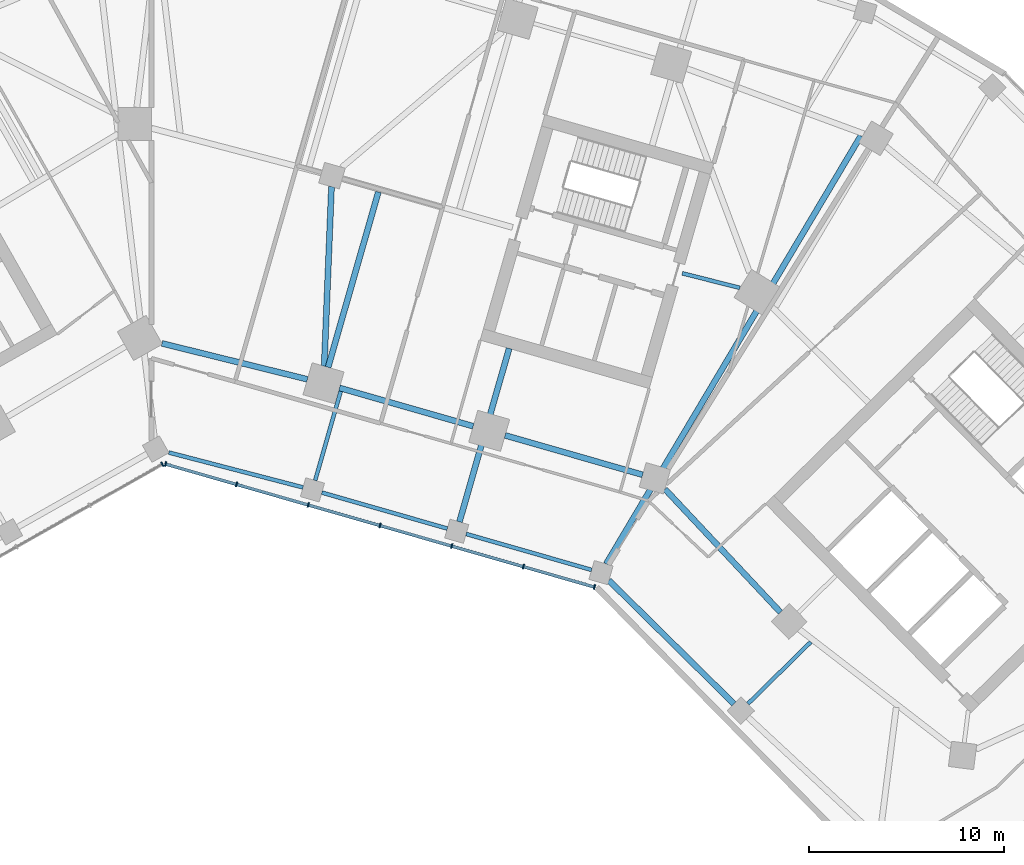
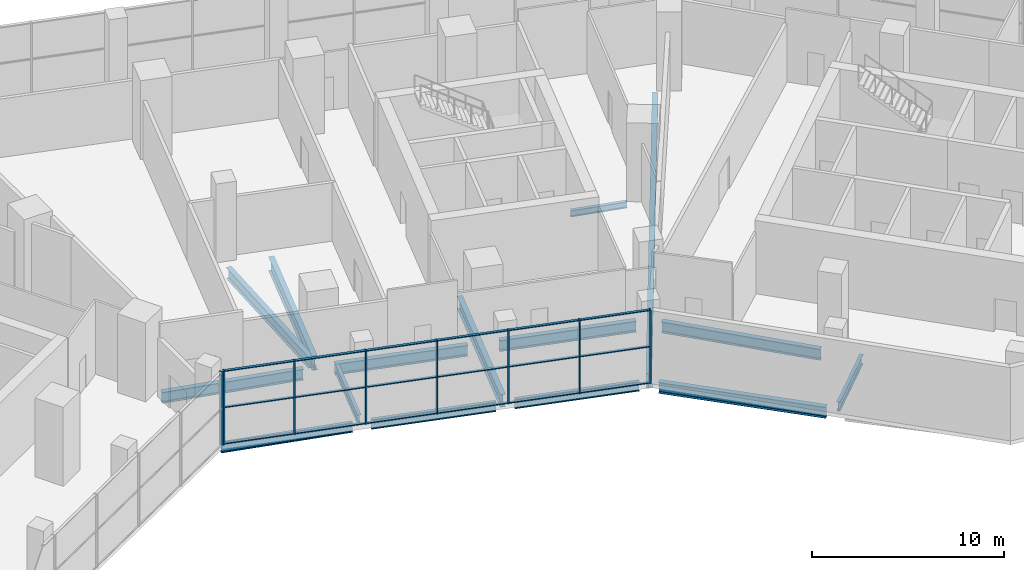
# One storey, part 5 of 18: 26 members, 15 beams, 2 elements without a shape of their own.
"""IFC4 building model written with IfcOpenShell, lengths in metres."""

from ifc_helpers import new_model, si_unit, direction, frame, origin, origin_2d, place, context, subcontext, project, spatial, rectangle, i_section, extrude, material, material_profile, profile_set, type_object, element, aggregate, save


model = new_model("IFC4")

# Units and contexts
model_context = context("Model", 3, precision=1e-05, world=origin(), true_north=direction((0.0, 1.0)))
body_context = subcontext(model_context, "Body", "Model", "MODEL_VIEW")
ifc_project = project(units=[si_unit("LENGTHUNIT", "METRE"), si_unit("AREAUNIT", "SQUARE_METRE"), si_unit("VOLUMEUNIT", "CUBIC_METRE"), si_unit("PLANEANGLEUNIT", "RADIAN"), si_unit("MASSUNIT", "GRAM", prefix="KILO")], contexts=[model_context])

# Site, building, storey
site_placement = place(None, origin())
site = spatial("IfcSite", under=ifc_project, at=site_placement, CompositionType="ELEMENT")
building_placement = place(site_placement, origin())
building = spatial("IfcBuilding", under=site, at=building_placement, Name="Binnacle Exchange Tower", CompositionType="ELEMENT")
storey_placement = place(building_placement, frame((0.0, 0.0, 11.5)))
storey = spatial("IfcBuildingStorey", under=building, at=storey_placement, Name="L02", CompositionType="ELEMENT", Elevation=11.5)

# Curtain wall, member
ifc_material_1 = material(Name="Bronze anodised aluminium frame", Category="aluminium")
curtain_wall_type = type_object("IfcCurtainWallType", Name="External wall - curtain wall podium harbour front", PredefinedType="NOTDEFINED", material=ifc_material_1)
curtain_wall_1_placement = place(storey_placement, origin())
curtain_wall_1 = element("IfcCurtainWall", 1, at=curtain_wall_1_placement, inside=storey, type_object=curtain_wall_type, Name="External wall curtain wall CW3-P06 L02", PredefinedType="NOTDEFINED")
ifc_material_profile_1 = material_profile(ifc_material_1, rectangle(XDim=0.25, YDim=0.070068359375, at=origin_2d()), Name="AL 70x250")
ifc_profile_set_1 = profile_set([ifc_material_profile_1], Name="Bronze anodised aluminium frame")
member_type_1 = type_object("IfcMemberType", Name="CW3 MULLION 70x250", PredefinedType="MULLION", material=ifc_profile_set_1)
member_1_placement = place(storey_placement, frame((0.561279296875, 42.57275390625, 0.0), z_axis=(0.0, 0.0, 1.0), x_axis=(-0.492423763004, 0.870355581144, 0.0)))
member_1 = element("IfcMember", 2, at=member_1_placement, type_object=member_type_1, Name="CW3-P06 mullion 11", PredefinedType="MULLION", context=body_context, shape_type="SweptSolid", body=[
    extrude(rectangle(XDim=0.25, YDim=0.070068359375, at=origin_2d()), origin(), (0.0, 0.0, 1.0), 4.64990234375),
])
aggregate(curtain_wall_1, [member_1])

# Curtain wall, members
curtain_wall_2_placement = place(storey_placement, origin())
curtain_wall_2 = element("IfcCurtainWall", 3, at=curtain_wall_2_placement, inside=storey, type_object=curtain_wall_type, Name="External wall curtain wall CW3-P07 L02", PredefinedType="NOTDEFINED")
member_2_placement = place(storey_placement, frame((0.721435546875, 42.591796875, 0.0), z_axis=(0.0, 0.0, 1.0), x_axis=(0.275636946454, 0.961261813321, 0.0)))
member_2 = element("IfcMember", 4, at=member_2_placement, type_object=member_type_1, Name="CW3-P07 mullion 1", PredefinedType="MULLION", context=body_context, shape_type="SweptSolid", body=[
    extrude(rectangle(XDim=0.25, YDim=0.070068359375, at=origin_2d()), origin(), (0.0, 0.0, 1.0), 4.64990234375),
])
member_3_placement = place(storey_placement, frame((4.3583984375, 41.548828125, 0.0), z_axis=(0.0, 0.0, 1.0), x_axis=(0.275636946454, 0.961261813321, 0.0)))
member_3 = element("IfcMember", 5, at=member_3_placement, type_object=member_type_1, Name="CW3-P07 mullion 2", PredefinedType="MULLION", context=body_context, shape_type="SweptSolid", body=[
    extrude(rectangle(XDim=0.25, YDim=0.070068359375, at=origin_2d()), origin(), (0.0, 0.0, 1.0), 4.64990234375),
])
member_4_placement = place(storey_placement, frame((8.029052734375, 40.496337890625, 0.0), z_axis=(0.0, 0.0, 1.0), x_axis=(0.275636946454, 0.961261813321, 0.0)))
member_4 = element("IfcMember", 6, at=member_4_placement, type_object=member_type_1, Name="CW3-P07 mullion 3", PredefinedType="MULLION", context=body_context, shape_type="SweptSolid", body=[
    extrude(rectangle(XDim=0.25, YDim=0.070068359375, at=origin_2d()), origin(), (0.0, 0.0, 1.0), 4.64990234375),
])
member_5_placement = place(storey_placement, frame((11.699951171875, 39.443603515625, 0.0), z_axis=(0.0, 0.0, 1.0), x_axis=(0.275636946454, 0.961261813321, 0.0)))
member_5 = element("IfcMember", 7, at=member_5_placement, type_object=member_type_1, Name="CW3-P07 mullion 4", PredefinedType="MULLION", context=body_context, shape_type="SweptSolid", body=[
    extrude(rectangle(XDim=0.25, YDim=0.070068359375, at=origin_2d()), origin(), (0.0, 0.0, 1.0), 4.64990234375),
])
member_6_placement = place(storey_placement, frame((15.37060546875, 38.39111328125, 0.0), z_axis=(0.0, 0.0, 1.0), x_axis=(0.275636946454, 0.961261813321, 0.0)))
member_6 = element("IfcMember", 8, at=member_6_placement, type_object=member_type_1, Name="CW3-P07 mullion 5", PredefinedType="MULLION", context=body_context, shape_type="SweptSolid", body=[
    extrude(rectangle(XDim=0.25, YDim=0.070068359375, at=origin_2d()), origin(), (0.0, 0.0, 1.0), 4.64990234375),
])
member_7_placement = place(storey_placement, frame((19.04150390625, 37.338623046875, 0.0), z_axis=(0.0, 0.0, 1.0), x_axis=(0.275636946454, 0.961261813321, 0.0)))
member_7 = element("IfcMember", 9, at=member_7_placement, type_object=member_type_1, Name="CW3-P07 mullion 6", PredefinedType="MULLION", context=body_context, shape_type="SweptSolid", body=[
    extrude(rectangle(XDim=0.25, YDim=0.070068359375, at=origin_2d()), origin(), (0.0, 0.0, 1.0), 4.64990234375),
])
member_8_placement = place(storey_placement, frame((22.678466796875, 36.295654296875, 0.0), z_axis=(0.0, 0.0, 1.0), x_axis=(0.275636946454, 0.961261813321, 0.0)))
member_8 = element("IfcMember", 10, at=member_8_placement, type_object=member_type_1, Name="CW3-P07 mullion 7", PredefinedType="MULLION", context=body_context, shape_type="SweptSolid", body=[
    extrude(rectangle(XDim=0.25, YDim=0.070068359375, at=origin_2d()), origin(), (0.0, 0.0, 1.0), 4.64990234375),
])
ifc_material_profile_2 = material_profile(ifc_material_1, rectangle(XDim=0.159912109375, YDim=0.050048828125, at=origin_2d()), Name="AL 160x50")
ifc_profile_set_2 = profile_set([ifc_material_profile_2], Name="Bronze anodised aluminium frame")
member_type_2 = type_object("IfcMemberType", Name="CW3 TRANSOM 50x160", PredefinedType="USERDEFINED", material=ifc_profile_set_2)
member_9_placement = place(storey_placement, frame((0.7548828125, 42.58203125, 0.02490234375), z_axis=(0.961258055902, -0.275650049815, 0.0), x_axis=(0.275650049815, 0.961258055902, 0.0)))
member_9 = element("IfcMember", 11, at=member_9_placement, type_object=member_type_2, Name="CW3-P07 transom 1.1", ObjectType="TRANSOM", PredefinedType="USERDEFINED", context=body_context, shape_type="SweptSolid", body=[
    extrude(rectangle(XDim=0.159912109375, YDim=0.050048828125, at=origin_2d()), origin(), (0.0, 0.0, 1.0), 3.713623046875),
])
member_10_placement = place(storey_placement, frame((0.7548828125, 42.58203125, 2.324951171875), z_axis=(0.961258055902, -0.275650049815, 0.0), x_axis=(0.275650049815, 0.961258055902, 0.0)))
member_10 = element("IfcMember", 12, at=member_10_placement, type_object=member_type_2, Name="CW3-P07 transom 1.2", ObjectType="TRANSOM", PredefinedType="USERDEFINED", context=body_context, shape_type="SweptSolid", body=[
    extrude(rectangle(XDim=0.159912109375, YDim=0.050048828125, at=origin_2d()), origin(), (0.0, 0.0, 1.0), 3.713623046875),
])
member_11_placement = place(storey_placement, frame((0.7548828125, 42.58203125, 4.625), z_axis=(0.961258055902, -0.275650049815, 0.0), x_axis=(0.275650049815, 0.961258055902, 0.0)))
member_11 = element("IfcMember", 13, at=member_11_placement, type_object=member_type_2, Name="CW3-P07 transom 1.3", ObjectType="TRANSOM", PredefinedType="USERDEFINED", context=body_context, shape_type="SweptSolid", body=[
    extrude(rectangle(XDim=0.159912109375, YDim=0.050048828125, at=origin_2d()), origin(), (0.0, 0.0, 1.0), 3.713623046875),
])
member_12_placement = place(storey_placement, frame((4.39208984375, 41.5390625, 0.02490234375), z_axis=(0.961267940498, -0.275615577519, 0.0), x_axis=(0.275615577519, 0.961267940498, 0.0)))
member_12 = element("IfcMember", 14, at=member_12_placement, type_object=member_type_2, Name="CW3-P07 transom 2.1", ObjectType="TRANSOM", PredefinedType="USERDEFINED", context=body_context, shape_type="SweptSolid", body=[
    extrude(rectangle(XDim=0.159912109375, YDim=0.050048828125, at=origin_2d()), origin(), (0.0, 0.0, 1.0), 3.748779296875),
])
member_13_placement = place(storey_placement, frame((4.39208984375, 41.5390625, 2.324951171875), z_axis=(0.961267940498, -0.275615577519, 0.0), x_axis=(0.275615577519, 0.961267940498, 0.0)))
member_13 = element("IfcMember", 15, at=member_13_placement, type_object=member_type_2, Name="CW3-P07 transom 2.2", ObjectType="TRANSOM", PredefinedType="USERDEFINED", context=body_context, shape_type="SweptSolid", body=[
    extrude(rectangle(XDim=0.159912109375, YDim=0.050048828125, at=origin_2d()), origin(), (0.0, 0.0, 1.0), 3.748779296875),
])
member_14_placement = place(storey_placement, frame((4.39208984375, 41.5390625, 4.625), z_axis=(0.961267940498, -0.275615577519, 0.0), x_axis=(0.275615577519, 0.961267940498, 0.0)))
member_14 = element("IfcMember", 16, at=member_14_placement, type_object=member_type_2, Name="CW3-P07 transom 2.3", ObjectType="TRANSOM", PredefinedType="USERDEFINED", context=body_context, shape_type="SweptSolid", body=[
    extrude(rectangle(XDim=0.159912109375, YDim=0.050048828125, at=origin_2d()), origin(), (0.0, 0.0, 1.0), 3.748779296875),
])
member_15_placement = place(storey_placement, frame((8.062744140625, 40.486572265625, 0.02490234375), z_axis=(0.961267940498, -0.275615577519, 0.0), x_axis=(0.275615577519, 0.961267940498, 0.0)))
member_15 = element("IfcMember", 17, at=member_15_placement, type_object=member_type_2, Name="CW3-P07 transom 3.1", ObjectType="TRANSOM", PredefinedType="USERDEFINED", context=body_context, shape_type="SweptSolid", body=[
    extrude(rectangle(XDim=0.159912109375, YDim=0.050048828125, at=origin_2d()), origin(), (0.0, 0.0, 1.0), 3.748779296875),
])
member_16_placement = place(storey_placement, frame((8.062744140625, 40.486572265625, 2.324951171875), z_axis=(0.961267940498, -0.275615577519, 0.0), x_axis=(0.275615577519, 0.961267940498, 0.0)))
member_16 = element("IfcMember", 18, at=member_16_placement, type_object=member_type_2, Name="CW3-P07 transom 3.2", ObjectType="TRANSOM", PredefinedType="USERDEFINED", context=body_context, shape_type="SweptSolid", body=[
    extrude(rectangle(XDim=0.159912109375, YDim=0.050048828125, at=origin_2d()), origin(), (0.0, 0.0, 1.0), 3.748779296875),
])
member_17_placement = place(storey_placement, frame((8.062744140625, 40.486572265625, 4.625), z_axis=(0.961267940498, -0.275615577519, 0.0), x_axis=(0.275615577519, 0.961267940498, 0.0)))
member_17 = element("IfcMember", 19, at=member_17_placement, type_object=member_type_2, Name="CW3-P07 transom 3.3", ObjectType="TRANSOM", PredefinedType="USERDEFINED", context=body_context, shape_type="SweptSolid", body=[
    extrude(rectangle(XDim=0.159912109375, YDim=0.050048828125, at=origin_2d()), origin(), (0.0, 0.0, 1.0), 3.748779296875),
])
member_18_placement = place(storey_placement, frame((11.733642578125, 39.43408203125, 0.02490234375), z_axis=(0.961245734461, -0.275693014023, 0.0), x_axis=(0.275693014023, 0.961245734461, 0.0)))
member_18 = element("IfcMember", 20, at=member_18_placement, type_object=member_type_2, Name="CW3-P07 transom 4.1", ObjectType="TRANSOM", PredefinedType="USERDEFINED", context=body_context, shape_type="SweptSolid", body=[
    extrude(rectangle(XDim=0.159912109375, YDim=0.050048828125, at=origin_2d()), origin(), (0.0, 0.0, 1.0), 3.74853515625),
])
member_19_placement = place(storey_placement, frame((11.733642578125, 39.43408203125, 2.324951171875), z_axis=(0.961245734461, -0.275693014023, 0.0), x_axis=(0.275693014023, 0.961245734461, 0.0)))
member_19 = element("IfcMember", 21, at=member_19_placement, type_object=member_type_2, Name="CW3-P07 transom 4.2", ObjectType="TRANSOM", PredefinedType="USERDEFINED", context=body_context, shape_type="SweptSolid", body=[
    extrude(rectangle(XDim=0.159912109375, YDim=0.050048828125, at=origin_2d()), origin(), (0.0, 0.0, 1.0), 3.74853515625),
])
member_20_placement = place(storey_placement, frame((11.733642578125, 39.43408203125, 4.625), z_axis=(0.961245734461, -0.275693014023, 0.0), x_axis=(0.275693014023, 0.961245734461, 0.0)))
member_20 = element("IfcMember", 22, at=member_20_placement, type_object=member_type_2, Name="CW3-P07 transom 4.3", ObjectType="TRANSOM", PredefinedType="USERDEFINED", context=body_context, shape_type="SweptSolid", body=[
    extrude(rectangle(XDim=0.159912109375, YDim=0.050048828125, at=origin_2d()), origin(), (0.0, 0.0, 1.0), 3.74853515625),
])
member_21_placement = place(storey_placement, frame((15.404296875, 38.38134765625, 0.02490234375), z_axis=(0.961267940498, -0.275615577519, 0.0), x_axis=(0.275615577519, 0.961267940498, 0.0)))
member_21 = element("IfcMember", 23, at=member_21_placement, type_object=member_type_2, Name="CW3-P07 transom 5.1", ObjectType="TRANSOM", PredefinedType="USERDEFINED", context=body_context, shape_type="SweptSolid", body=[
    extrude(rectangle(XDim=0.159912109375, YDim=0.050048828125, at=origin_2d()), origin(), (0.0, 0.0, 1.0), 3.748779296875),
])
member_22_placement = place(storey_placement, frame((15.404296875, 38.38134765625, 2.324951171875), z_axis=(0.961267940498, -0.275615577519, 0.0), x_axis=(0.275615577519, 0.961267940498, 0.0)))
member_22 = element("IfcMember", 24, at=member_22_placement, type_object=member_type_2, Name="CW3-P07 transom 5.2", ObjectType="TRANSOM", PredefinedType="USERDEFINED", context=body_context, shape_type="SweptSolid", body=[
    extrude(rectangle(XDim=0.159912109375, YDim=0.050048828125, at=origin_2d()), origin(), (0.0, 0.0, 1.0), 3.748779296875),
])
member_23_placement = place(storey_placement, frame((15.404296875, 38.38134765625, 4.625), z_axis=(0.961267940498, -0.275615577519, 0.0), x_axis=(0.275615577519, 0.961267940498, 0.0)))
member_23 = element("IfcMember", 25, at=member_23_placement, type_object=member_type_2, Name="CW3-P07 transom 5.3", ObjectType="TRANSOM", PredefinedType="USERDEFINED", context=body_context, shape_type="SweptSolid", body=[
    extrude(rectangle(XDim=0.159912109375, YDim=0.050048828125, at=origin_2d()), origin(), (0.0, 0.0, 1.0), 3.748779296875),
])
member_24_placement = place(storey_placement, frame((19.074951171875, 37.328857421875, 0.02490234375), z_axis=(0.961258055902, -0.275650049815, 0.0), x_axis=(0.275650049815, 0.961258055902, 0.0)))
member_24 = element("IfcMember", 26, at=member_24_placement, type_object=member_type_2, Name="CW3-P07 transom 6.1", ObjectType="TRANSOM", PredefinedType="USERDEFINED", context=body_context, shape_type="SweptSolid", body=[
    extrude(rectangle(XDim=0.159912109375, YDim=0.050048828125, at=origin_2d()), origin(), (0.0, 0.0, 1.0), 3.713623046875),
])
member_25_placement = place(storey_placement, frame((19.074951171875, 37.328857421875, 2.324951171875), z_axis=(0.961258055902, -0.275650049815, 0.0), x_axis=(0.275650049815, 0.961258055902, 0.0)))
member_25 = element("IfcMember", 27, at=member_25_placement, type_object=member_type_2, Name="CW3-P07 transom 6.2", ObjectType="TRANSOM", PredefinedType="USERDEFINED", context=body_context, shape_type="SweptSolid", body=[
    extrude(rectangle(XDim=0.159912109375, YDim=0.050048828125, at=origin_2d()), origin(), (0.0, 0.0, 1.0), 3.713623046875),
])
member_26_placement = place(storey_placement, frame((19.074951171875, 37.328857421875, 4.625), z_axis=(0.961258055902, -0.275650049815, 0.0), x_axis=(0.275650049815, 0.961258055902, 0.0)))
member_26 = element("IfcMember", 28, at=member_26_placement, type_object=member_type_2, Name="CW3-P07 transom 6.3", ObjectType="TRANSOM", PredefinedType="USERDEFINED", context=body_context, shape_type="SweptSolid", body=[
    extrude(rectangle(XDim=0.159912109375, YDim=0.050048828125, at=origin_2d()), origin(), (0.0, 0.0, 1.0), 3.713623046875),
])
aggregate(curtain_wall_2, [member_2, member_3, member_4, member_5, member_6, member_7, member_8, member_9, member_10, member_11, member_12, member_13, member_14, member_15, member_16, member_17, member_18, member_19, member_20, member_21, member_22, member_23, member_24, member_25, member_26])

# Beams
ifc_material_2 = material(Name="Steel S355 (SHN355)", Category="steel")
ifc_material_profile_3 = material_profile(ifc_material_2, i_section(OverallWidth=0.200927734375, OverallDepth=0.60595703125, WebThickness=0.011962890625, FlangeThickness=0.02001953125, FilletRadius=0.02197265625, at=origin_2d()), Name="H 606x201x12x20")
ifc_profile_set_3 = profile_set([ifc_material_profile_3], Name="Steel S355 (SHN355)")
beam_type_1 = type_object("IfcBeamType", Name="Edge girder H 606x201x12x20 Steel S355 (SHN355)", PredefinedType="SPANDREL", material=ifc_profile_set_3)
beam_1_placement = place(storey_placement, frame((15.1474609375, 39.287353515625, -0.653076171875), z_axis=(-0.961262967186, 0.275632922412, 0.0), x_axis=(-0.275632922412, -0.961262967186, 0.0)))
element("IfcBeam", 29, at=beam_1_placement, inside=storey, type_object=beam_type_1, Name="S:BM:edge:L02:051", PredefinedType="SPANDREL", context=body_context, shape_type="SweptSolid", body=[
    extrude(i_section(OverallWidth=0.200927734375, OverallDepth=0.60595703125, WebThickness=0.011962890625, FlangeThickness=0.02001953125, FilletRadius=0.02197265625, at=origin_2d()), origin(), (0.0, 0.0, 1.0), 6.682861328125),
])
beam_2_placement = place(storey_placement, frame((22.532470703125, 37.169677734375, -0.653076171875), z_axis=(-0.961260191586, 0.275642602064, 0.0), x_axis=(-0.275642602064, -0.961260191586, 0.0)))
element("IfcBeam", 30, at=beam_2_placement, inside=storey, type_object=beam_type_1, Name="S:BM:edge:L02:055", PredefinedType="SPANDREL", context=body_context, shape_type="SweptSolid", body=[
    extrude(i_section(OverallWidth=0.200927734375, OverallDepth=0.60595703125, WebThickness=0.011962890625, FlangeThickness=0.02001953125, FilletRadius=0.02197265625, at=origin_2d()), origin(), (0.0, 0.0, 1.0), 6.6826171875),
])
ifc_material_profile_4 = material_profile(ifc_material_2, i_section(OverallWidth=0.201904296875, OverallDepth=0.612060546875, WebThickness=0.012939453125, FlangeThickness=0.02294921875, FilletRadius=0.02197265625, at=origin_2d()), Name="H 612x202x13x23")
ifc_profile_set_4 = profile_set([ifc_material_profile_4], Name="Steel S355 (SHN355)")
beam_type_2 = type_object("IfcBeamType", Name="Edge girder H 612x202x13x23 Steel S355 (SHN355)", PredefinedType="SPANDREL", material=ifc_profile_set_4)
beam_3_placement = place(storey_placement, frame((7.7587890625, 41.393310546875, -0.656005859375), z_axis=(-0.967768014177, 0.251843345627, 0.0), x_axis=(-0.251843345627, -0.967768014177, 0.0)))
element("IfcBeam", 31, at=beam_3_placement, inside=storey, type_object=beam_type_2, Name="S:BM:edge:L02:047", PredefinedType="SPANDREL", context=body_context, shape_type="SweptSolid", body=[
    extrude(i_section(OverallWidth=0.201904296875, OverallDepth=0.612060546875, WebThickness=0.012939453125, FlangeThickness=0.02294921875, FilletRadius=0.02197265625, at=origin_2d()), origin(), (0.0, 0.0, 1.0), 7.09521484375),
])
ifc_material_profile_5 = material_profile(ifc_material_2, i_section(OverallWidth=0.300048828125, OverallDepth=0.699951171875, WebThickness=0.012939453125, FlangeThickness=0.02392578125, FilletRadius=0.028076171875, at=origin_2d()), Name="H 700x300x13x24")
ifc_profile_set_5 = profile_set([ifc_material_profile_5], Name="Steel S355 (SHN355)")
beam_type_3 = type_object("IfcBeamType", Name="Edge girder H 700x300x13x24 Steel S355 (SHN355)", PredefinedType="SPANDREL", material=ifc_profile_set_5)
beam_4_placement = place(storey_placement, frame((0.54443359375, 48.763916015625, -0.699951171875), z_axis=(0.970818997342, -0.239813415805, 0.0), x_axis=(0.239813415805, 0.970818997342, 0.0)))
element("IfcBeam", 32, at=beam_4_placement, inside=storey, type_object=beam_type_3, Name="S:BM:edge:L02:045", PredefinedType="SPANDREL", context=body_context, shape_type="SweptSolid", body=[
    extrude(i_section(OverallWidth=0.300048828125, OverallDepth=0.699951171875, WebThickness=0.012939453125, FlangeThickness=0.02392578125, FilletRadius=0.028076171875, at=origin_2d()), origin(), (0.0, 0.0, 1.0), 7.662841796875),
])
beam_5_placement = place(storey_placement, frame((9.626708984375, 46.488037109375, -0.699951171875), z_axis=(0.961260850036, -0.275640305812, 0.0), x_axis=(0.275640305812, 0.961260850036, 0.0)))
element("IfcBeam", 33, at=beam_5_placement, inside=storey, type_object=beam_type_3, Name="S:BM:edge:L02:048", PredefinedType="SPANDREL", context=body_context, shape_type="SweptSolid", body=[
    extrude(i_section(OverallWidth=0.300048828125, OverallDepth=0.699951171875, WebThickness=0.012939453125, FlangeThickness=0.02392578125, FilletRadius=0.028076171875, at=origin_2d()), origin(), (0.0, 0.0, 1.0), 7.120361328125),
])
beam_6_placement = place(storey_placement, frame((18.105224609375, 44.056884765625, -0.699951171875), z_axis=(0.96126047873, -0.275641600691, 0.0), x_axis=(0.275641600691, 0.96126047873, 0.0)))
element("IfcBeam", 34, at=beam_6_placement, inside=storey, type_object=beam_type_3, Name="S:BM:edge:L02:053", PredefinedType="SPANDREL", context=body_context, shape_type="SweptSolid", body=[
    extrude(i_section(OverallWidth=0.300048828125, OverallDepth=0.699951171875, WebThickness=0.012939453125, FlangeThickness=0.02392578125, FilletRadius=0.028076171875, at=origin_2d()), origin(), (0.0, 0.0, 1.0), 7.320556640625),
])
beam_7_placement = place(storey_placement, frame((26.284912109375, 41.3076171875, -0.699951171875), z_axis=(0.684056711164, -0.729428828544, 0.0), x_axis=(0.729428828544, 0.684056711164, 0.0)))
element("IfcBeam", 35, at=beam_7_placement, inside=storey, type_object=beam_type_3, Name="S:BM:edge:L02:057", PredefinedType="SPANDREL", context=body_context, shape_type="SweptSolid", body=[
    extrude(i_section(OverallWidth=0.300048828125, OverallDepth=0.699951171875, WebThickness=0.012939453125, FlangeThickness=0.02392578125, FilletRadius=0.028076171875, at=origin_2d()), origin(), (0.0, 0.0, 1.0), 8.6416015625),
])
beam_8_placement = place(storey_placement, frame((29.81640625, 30.31689453125, -0.699951171875), z_axis=(-0.711708607818, 0.702474809198, 0.0), x_axis=(-0.702474809198, -0.711708607818, 0.0)))
element("IfcBeam", 36, at=beam_8_placement, inside=storey, type_object=beam_type_3, Name="S:BM:edge:L02:059", PredefinedType="SPANDREL", context=body_context, shape_type="SweptSolid", body=[
    extrude(i_section(OverallWidth=0.300048828125, OverallDepth=0.699951171875, WebThickness=0.012939453125, FlangeThickness=0.02392578125, FilletRadius=0.028076171875, at=origin_2d()), origin(), (0.0, 0.0, 1.0), 8.989501953125),
])
ifc_material_profile_6 = material_profile(ifc_material_2, i_section(OverallWidth=0.199951171875, OverallDepth=0.60009765625, WebThickness=0.010986328125, FlangeThickness=0.01708984375, FilletRadius=0.02197265625, at=origin_2d()), Name="H 600x200x11x17")
ifc_profile_set_6 = profile_set([ifc_material_profile_6], Name="Steel S355 (SHN355)")
beam_type_4 = type_object("IfcBeamType", Name="Floor beam H 600x200x11x17 Steel S355 (SHN355)", PredefinedType="BEAM", material=ifc_profile_set_6)
beam_9_placement = place(storey_placement, frame((8.380615234375, 41.747802734375, -0.64990234375), z_axis=(0.275651024235, 0.961257776477, 0.0), x_axis=(-0.961257776477, 0.275651024235, 0.0)))
element("IfcBeam", 37, at=beam_9_placement, inside=storey, type_object=beam_type_4, Name="S:BM:cross:L02:105", PredefinedType="BEAM", context=body_context, shape_type="SweptSolid", body=[
    extrude(i_section(OverallWidth=0.199951171875, OverallDepth=0.60009765625, WebThickness=0.010986328125, FlangeThickness=0.01708984375, FilletRadius=0.02197265625, at=origin_2d()), origin(), (0.0, 0.0, 1.0), 4.75),
])
beam_10_placement = place(storey_placement, frame((30.529052734375, 30.316162109375, -0.64990234375), z_axis=(0.713237882923, 0.700922051561, 0.0), x_axis=(-0.700922051561, 0.713237882923, 0.0)))
element("IfcBeam", 38, at=beam_10_placement, inside=storey, type_object=beam_type_4, Name="S:BM:cross:L02:113", PredefinedType="BEAM", context=body_context, shape_type="SweptSolid", body=[
    extrude(i_section(OverallWidth=0.199951171875, OverallDepth=0.60009765625, WebThickness=0.010986328125, FlangeThickness=0.01708984375, FilletRadius=0.02197265625, at=origin_2d()), origin(), (0.0, 0.0, 1.0), 4.519775390625),
])
ifc_material_profile_7 = material_profile(ifc_material_2, i_section(OverallWidth=0.302001953125, OverallDepth=0.80810546875, WebThickness=0.01611328125, FlangeThickness=0.030029296875, FilletRadius=0.028076171875, at=origin_2d()), Name="H 808x302x16x30")
ifc_profile_set_7 = profile_set([ifc_material_profile_7], Name="Steel S355 (SHN355)")
beam_type_5 = type_object("IfcBeamType", Name="Floor beam H 808x302x16x30 Steel S355 (SHN355)", PredefinedType="BEAM", material=ifc_profile_set_7)
beam_11_placement = place(storey_placement, frame((15.765869140625, 39.630126953125, -0.75390625), z_axis=(0.2756218268, 0.961266148677, 0.0), x_axis=(-0.961266148677, 0.2756218268, 0.0)))
element("IfcBeam", 39, at=beam_11_placement, inside=storey, type_object=beam_type_5, Name="S:BM:cross:L02:109", PredefinedType="BEAM", context=body_context, shape_type="SweptSolid", body=[
    extrude(i_section(OverallWidth=0.302001953125, OverallDepth=0.80810546875, WebThickness=0.01611328125, FlangeThickness=0.030029296875, FilletRadius=0.028076171875, at=origin_2d()), origin(), (0.0, 0.0, 1.0), 9.235107421875),
])
ifc_material_profile_8 = material_profile(ifc_material_2, i_section(OverallWidth=0.302001953125, OverallDepth=0.912109375, WebThickness=0.01806640625, FlangeThickness=0.033935546875, FilletRadius=0.028076171875, at=origin_2d()), Name="H 912x302x18x34")
ifc_profile_set_8 = profile_set([ifc_material_profile_8], Name="Steel S355 (SHN355)")
beam_type_6 = type_object("IfcBeamType", Name="Floor beam H 912x302x18x34 Steel S355 (SHN355)", PredefinedType="BEAM", material=ifc_profile_set_8)
beam_12_placement = place(storey_placement, frame((9.043701171875, 47.539306640625, -0.805908203125), z_axis=(0.275646698205, 0.961259017003, 0.0), x_axis=(-0.961259017003, 0.275646698205, 0.0)))
element("IfcBeam", 40, at=beam_12_placement, inside=storey, type_object=beam_type_6, Name="S:BM:cross:L02:106", PredefinedType="BEAM", context=body_context, shape_type="SweptSolid", body=[
    extrude(i_section(OverallWidth=0.302001953125, OverallDepth=0.912109375, WebThickness=0.01806640625, FlangeThickness=0.033935546875, FilletRadius=0.028076171875, at=origin_2d()), origin(), (0.0, 0.0, 1.0), 9.335205078125),
])
ifc_material_profile_9 = material_profile(ifc_material_2, i_section(OverallWidth=0.302978515625, OverallDepth=0.91796875, WebThickness=0.01904296875, FlangeThickness=0.037109375, FilletRadius=0.028076171875, at=origin_2d()), Name="H 918x303x19x37")
ifc_profile_set_9 = profile_set([ifc_material_profile_9], Name="Steel S355 (SHN355)")
beam_type_7 = type_object("IfcBeamType", Name="Floor beam H 918x303x19x37 Steel S355 (SHN355)", PredefinedType="BEAM", material=ifc_profile_set_9)
beam_13_placement = place(storey_placement, frame((23.277587890625, 37.476318359375, -0.80908203125), z_axis=(0.511288746337, 0.859408993361, 0.0), x_axis=(-0.859408993361, 0.511288746337, 0.0)))
element("IfcBeam", 41, at=beam_13_placement, inside=storey, type_object=beam_type_7, Name="S:BM:cross:L02:111", PredefinedType="BEAM", context=body_context, shape_type="SweptSolid", body=[
    extrude(i_section(OverallWidth=0.302978515625, OverallDepth=0.91796875, WebThickness=0.01904296875, FlangeThickness=0.037109375, FilletRadius=0.028076171875, at=origin_2d()), origin(), (0.0, 0.0, 1.0), 25.49755859375),
])
ifc_material_profile_10 = material_profile(ifc_material_2, i_section(OverallWidth=0.199951171875, OverallDepth=0.39990234375, WebThickness=0.008056640625, FlangeThickness=0.012939453125, FilletRadius=0.01611328125, at=origin_2d()), Name="H 400x200x8x13")
ifc_profile_set_10 = profile_set([ifc_material_profile_10], Name="Steel S355 (SHN355)")
beam_type_8 = type_object("IfcBeamType", Name="Spine girder H 400x200x8x13 Steel S355 (SHN355)", PredefinedType="BEAM", material=ifc_profile_set_10)
beam_14_placement = place(storey_placement, frame((27.17138671875, 52.35400390625, -0.550048828125), z_axis=(0.969359627701, -0.245645908136, 0.0), x_axis=(0.245645908136, 0.969359627701, 0.0)))
element("IfcBeam", 42, at=beam_14_placement, inside=storey, type_object=beam_type_8, Name="S:BM:spine:L02:010", PredefinedType="BEAM", context=body_context, shape_type="SweptSolid", body=[
    extrude(i_section(OverallWidth=0.199951171875, OverallDepth=0.39990234375, WebThickness=0.008056640625, FlangeThickness=0.012939453125, FilletRadius=0.01611328125, at=origin_2d()), origin(), (0.0, 0.0, 1.0), 3.046142578125),
])
ifc_material_profile_11 = material_profile(ifc_material_2, i_section(OverallWidth=0.302001953125, OverallDepth=0.7080078125, WebThickness=0.014892578125, FlangeThickness=0.028076171875, FilletRadius=0.028076171875, at=origin_2d()), Name="H 708x302x15x28")
ifc_profile_set_11 = profile_set([ifc_material_profile_11], Name="Steel S355 (SHN355)")
beam_type_9 = type_object("IfcBeamType", Name="Spine girder H 708x302x15x28 Steel S355 (SHN355)", PredefinedType="BEAM", material=ifc_profile_set_11)
beam_15_placement = place(storey_placement, frame((9.218017578125, 56.78466796875, -0.7041015625), z_axis=(-0.040567083206, -0.999176817065, 0.0), x_axis=(0.999176817065, -0.040567083206, 0.0)))
element("IfcBeam", 43, at=beam_15_placement, inside=storey, type_object=beam_type_9, Name="S:BM:spine:L02:007", PredefinedType="BEAM", context=body_context, shape_type="SweptSolid", body=[
    extrude(i_section(OverallWidth=0.302001953125, OverallDepth=0.7080078125, WebThickness=0.014892578125, FlangeThickness=0.028076171875, FilletRadius=0.028076171875, at=origin_2d()), origin(), (0.0, 0.0, 1.0), 9.19580078125),
])

save(model, "model.ifc")
